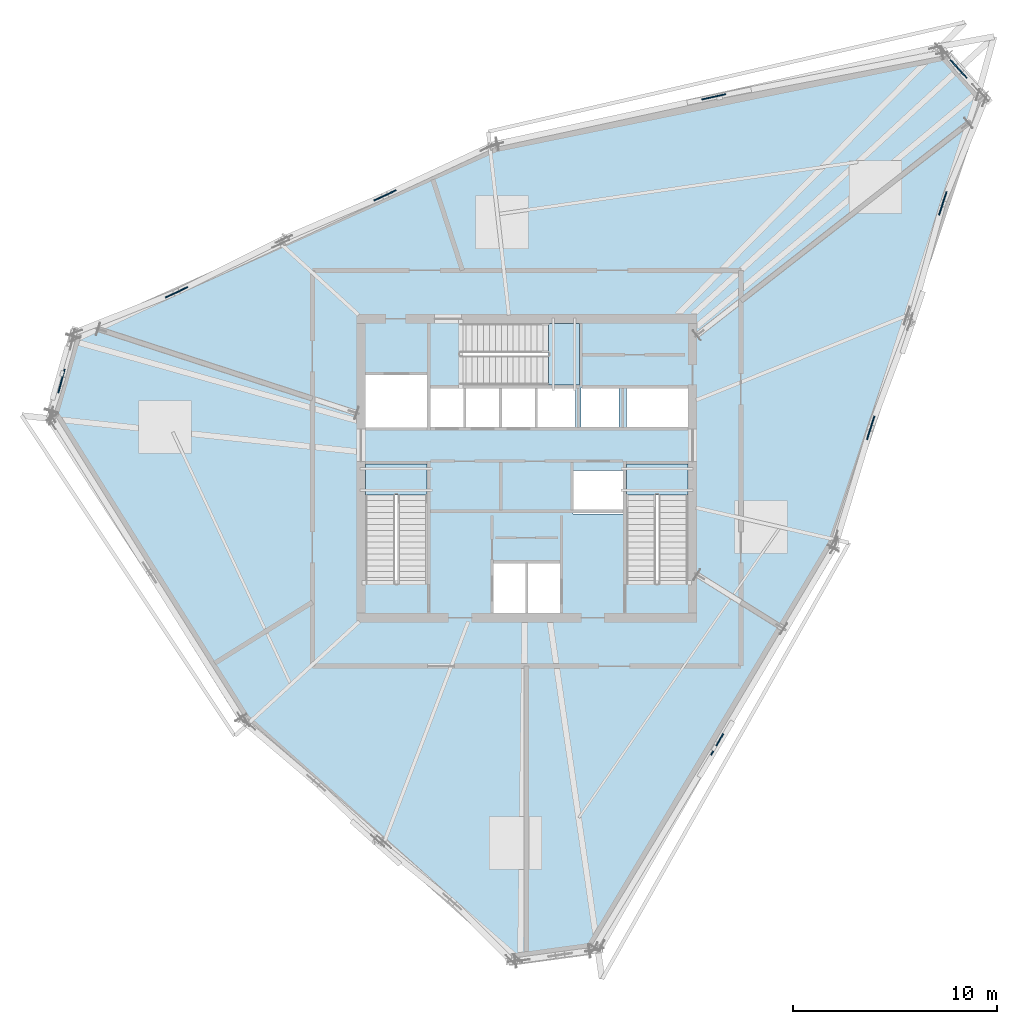
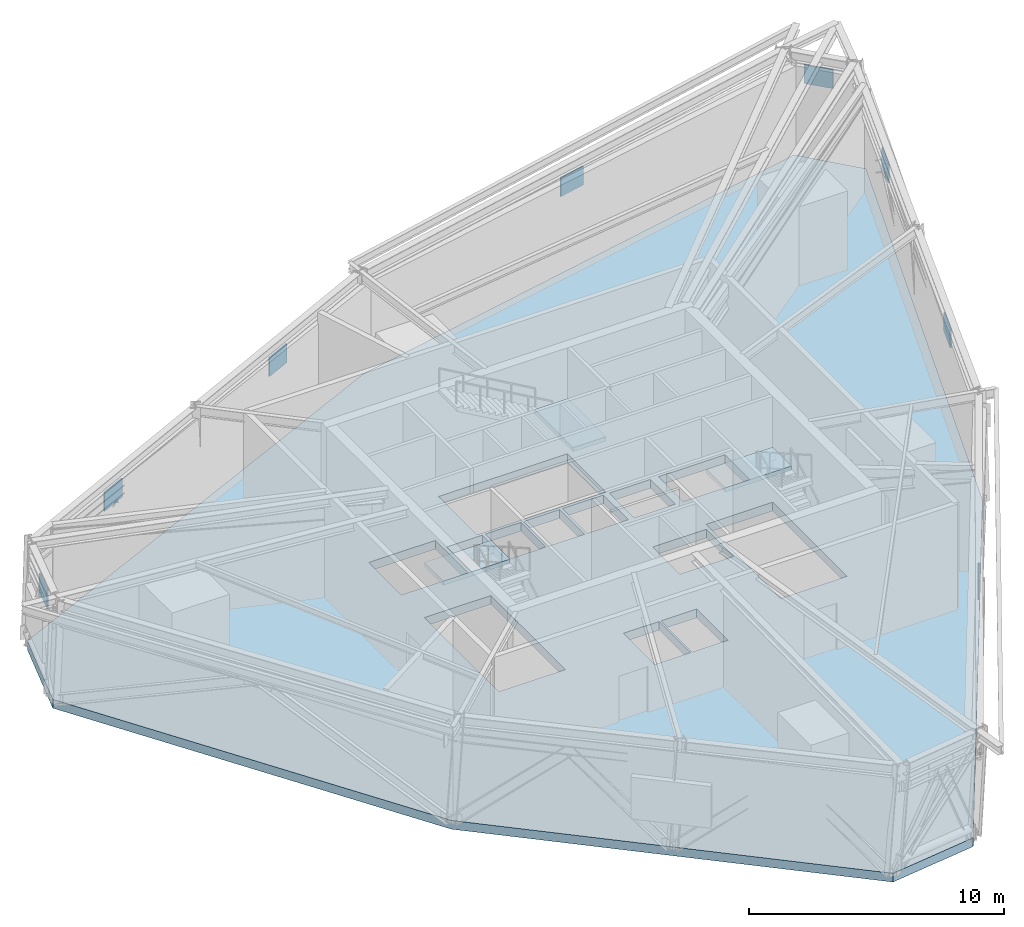
# One storey, part 4 of 15: 8 plates, 4 slabs, 3 elements without a shape of their own.
"""IFC4 building model written with IfcOpenShell, lengths in metres."""

from ifc_helpers import new_model, si_unit, direction, frame, origin, origin_2d, place, context, subcontext, project, spatial, polyline, rectangle, outline, extrude, source, transform, mapped, material, layer, layer_set, type_object, element, aggregate, save


model = new_model("IFC4")

# Units and contexts
model_context = context("Model", 3, precision=1e-05, world=origin(), true_north=direction((0.0, 1.0)))
body_context = subcontext(model_context, "Body", "Model", "MODEL_VIEW")
ifc_project = project(units=[si_unit("LENGTHUNIT", "METRE"), si_unit("AREAUNIT", "SQUARE_METRE"), si_unit("VOLUMEUNIT", "CUBIC_METRE"), si_unit("PLANEANGLEUNIT", "RADIAN"), si_unit("MASSUNIT", "GRAM", prefix="KILO")], contexts=[model_context])

# Site, building, storey
site_placement = place(None, origin())
site = spatial("IfcSite", under=ifc_project, at=site_placement, CompositionType="ELEMENT")
building_placement = place(site_placement, origin())
building = spatial("IfcBuilding", under=site, at=building_placement, Name="Olszyna Solenne Hotel", CompositionType="ELEMENT")
storey_placement = place(building_placement, frame((0.0, 0.0, 204.300048828125)))
storey = spatial("IfcBuildingStorey", under=building, at=storey_placement, Name="L54", CompositionType="ELEMENT", Elevation=204.300048828125)

# Stair, slab
ifc_material_1 = material(Name="Concrete C40/50", Category="concrete")
stair_type = type_object("IfcStairType", Name="STR-C1", PredefinedType="TWO_QUARTER_WINDING_STAIR", material=ifc_material_1)
stair_1_placement = place(storey_placement, origin())
stair_1 = element("IfcStair", 1, at=stair_1_placement, inside=storey, type_object=stair_type, Name="L54 ST1", PredefinedType="TWO_QUARTER_WINDING_STAIR")
ifc_layer_1 = layer(ifc_material_1, 0.18994140625, Name="Concrete C40/50")
ifc_layer_set_1 = layer_set([ifc_layer_1], Name="Concrete C40/50")
slab_type_1 = type_object("IfcSlabType", Name="SL-LN190", PredefinedType="LANDING", material=ifc_layer_set_1)
slab_1_placement = place(storey_placement, frame((0.0, 0.0, 2.449951171875)))
slab_1 = element("IfcSlab", 2, at=slab_1_placement, type_object=slab_type_1, Name="ST1 landing 1", PredefinedType="LANDING", context=body_context, shape_type="SweptSolid", body=[
    extrude(outline(polyline([(33.1201171875, 25.300048828125), (33.1201171875, 26.800048828125), (30.10009765625, 26.800048828125), (30.10009765625, 25.300048828125), (33.1201171875, 25.300048828125)])), origin(), (0.0, 0.0, 1.0), 0.199951171875),
])
aggregate(stair_1, [slab_1])

stair_2_placement = place(storey_placement, origin())
stair_2 = element("IfcStair", 3, at=stair_2_placement, inside=storey, type_object=stair_type, Name="L54 ST2", PredefinedType="TWO_QUARTER_WINDING_STAIR")
slab_2_placement = place(storey_placement, frame((0.0, 0.0, 2.449951171875)))
slab_2 = element("IfcSlab", 4, at=slab_2_placement, type_object=slab_type_1, Name="ST2 landing 1", PredefinedType="LANDING", context=body_context, shape_type="SweptSolid", body=[
    extrude(outline(polyline([(45.89990234375, 25.300048828125), (45.89990234375, 26.800048828125), (42.8798828125, 26.800048828125), (42.8798828125, 25.300048828125), (45.89990234375, 25.300048828125)])), origin(), (0.0, 0.0, 1.0), 0.199951171875),
])
aggregate(stair_2, [slab_2])

stair_3_placement = place(storey_placement, origin())
stair_3 = element("IfcStair", 5, at=stair_3_placement, inside=storey, type_object=stair_type, Name="L54 ST3", PredefinedType="TWO_QUARTER_WINDING_STAIR")
slab_3_placement = place(storey_placement, frame((0.0, 0.0, 2.449951171875)))
slab_3 = element("IfcSlab", 6, at=slab_3_placement, type_object=slab_type_1, Name="ST3 landing 1", PredefinedType="LANDING", context=body_context, shape_type="SweptSolid", body=[
    extrude(outline(polyline([(39.080078125, 30.679931640625), (40.580078125, 30.679931640625), (40.580078125, 33.699951171875), (39.080078125, 33.699951171875), (39.080078125, 30.679931640625)])), origin(), (0.0, 0.0, 1.0), 0.199951171875),
])
aggregate(stair_3, [slab_3])

# Slab
ifc_material_2 = material(Name="Concrete C50/60", Category="concrete")
ifc_layer_2 = layer(ifc_material_2, 0.419921875, Name="Concrete C50/60")
ifc_layer_set_2 = layer_set([ifc_layer_2], Name="Concrete C50/60")
slab_type_2 = type_object("IfcSlabType", Name="SL-TR420", PredefinedType="FLOOR", material=ifc_layer_set_2)
slab_4_placement = place(storey_placement, frame((0.0, 0.0, -0.420166015625)))
element("IfcSlab", 7, at=slab_4_placement, inside=storey, type_object=slab_type_2, Name="Floor slab SL-TR420 SL-L54-01", PredefinedType="FLOOR", context=body_context, shape_type="SweptSolid", body=[
    extrude(outline(polyline([(60.49169921875, 44.744140625), (58.51220703125, 46.9775390625), (36.39990234375, 42.461181640625), (15.80859375, 33.222900390625), (14.66845703125, 29.246826171875), (24.0810546875, 14.24267578125), (37.285400390625, 2.4375), (41.233642578125, 2.97119140625), (53.115234375, 22.819091796875), (60.49169921875, 44.744140625)]), holes=[polyline([(30.10009765625, 20.949951171875), (33.1201171875, 20.949951171875), (33.1201171875, 26.800048828125), (30.10009765625, 26.800048828125), (30.10009765625, 20.949951171875)]), polyline([(42.8798828125, 20.949951171875), (45.89990234375, 20.949951171875), (45.89990234375, 26.800048828125), (42.8798828125, 26.800048828125), (42.8798828125, 20.949951171875)]), polyline([(34.72998046875, 30.679931640625), (40.580078125, 30.679931640625), (40.580078125, 33.699951171875), (34.72998046875, 33.699951171875), (34.72998046875, 30.679931640625)]), polyline([(36.340087890625, 19.5), (37.9599609375, 19.5), (37.9599609375, 21.9599609375), (36.340087890625, 21.9599609375), (36.340087890625, 19.5)]), polyline([(38.0400390625, 19.5), (39.659912109375, 19.5), (39.659912109375, 21.9599609375), (38.0400390625, 21.9599609375), (38.0400390625, 19.5)]), polyline([(30.10009765625, 28.60009765625), (33.1201171875, 28.60009765625), (33.1201171875, 31.159912109375), (30.10009765625, 31.159912109375), (30.10009765625, 28.60009765625)]), polyline([(40.280029296875, 24.360107421875), (42.719970703125, 24.360107421875), (42.719970703125, 26.5), (40.280029296875, 26.5), (40.280029296875, 24.360107421875)]), polyline([(33.280029296875, 28.60009765625), (34.89990234375, 28.60009765625), (34.89990234375, 30.550048828125), (33.280029296875, 30.550048828125), (33.280029296875, 28.60009765625)]), polyline([(35.030029296875, 28.60009765625), (36.64990234375, 28.60009765625), (36.64990234375, 30.550048828125), (35.030029296875, 30.550048828125), (35.030029296875, 28.60009765625)]), polyline([(36.780029296875, 28.60009765625), (38.39990234375, 28.60009765625), (38.39990234375, 30.550048828125), (36.780029296875, 30.550048828125), (36.780029296875, 28.60009765625)]), polyline([(38.530029296875, 28.60009765625), (40.389892578125, 28.60009765625), (40.389892578125, 30.550048828125), (38.530029296875, 30.550048828125), (38.530029296875, 28.60009765625)]), polyline([(40.659912109375, 28.60009765625), (42.52001953125, 28.60009765625), (42.52001953125, 30.550048828125), (40.659912109375, 30.550048828125), (40.659912109375, 28.60009765625)]), polyline([(42.8798828125, 28.60009765625), (45.89990234375, 28.60009765625), (45.89990234375, 30.550048828125), (42.8798828125, 30.550048828125), (42.8798828125, 28.60009765625)])]), origin(), (0.0, 0.0, 1.0), 0.420166015625),
])

# Plates
ifc_material_3 = material(Name="Steel S460M", Category="steel")
plate_type = type_object("IfcPlateType", Name="GP-ND1", PredefinedType="USERDEFINED", material=ifc_material_3)
shared_shape = source(origin(), body_context, "Body", "SweptSolid", [
    extrude(rectangle(XDim=1.199951171875, YDim=0.06005859375, at=origin_2d()), origin(), (0.0, 0.0, 1.0), 0.89990234375),
])
for number, where, z_axis, x_axis, name in (
    (8, (59.16455078125, 46.166015625, 3.580078125), (0.0, 0.0, 1.0), (-0.6749465546, 0.737866619677, 0.0), "Belt truss node gusset plate TN-L54-01"),
    (9, (47.170166015625, 44.80126953125, 3.580078125), (0.0, 0.0, 1.0), (-0.976068816814, -0.217461869863, 0.0), "Belt truss node gusset plate TN-L54-02"),
    (10, (31.060546875, 39.973388671875, 3.580078125), (0.0, 0.0, 1.0), (-0.906749854826, -0.421668946893, 0.0), "Belt truss node gusset plate TN-L54-03"),
    (11, (20.841796875, 35.220703125, 3.580078125), (0.0, 0.0, 1.0), (-0.906749854826, -0.421668946893, 0.0), "Belt truss node gusset plate TN-L54-04"),
    (12, (15.200439453125, 30.873291015625, 3.580078125), (0.0, 0.0, 1.0), (-0.260504508643, -0.965472630879, 0.0), "Belt truss node gusset plate TN-L54-05"),
    (13, (47.33544921875, 13.069580078125, 3.580078125), (0.0, 0.0, 1.0), (0.498336430137, 0.866983738255, 0.0), "Belt truss node gusset plate TN-L54-10"),
    (14, (54.8583984375, 28.5830078125, 3.580078125), (0.0, 0.0, 1.0), (0.305861478234, 0.952076024345, 0.0), "Belt truss node gusset plate TN-L54-11"),
    (15, (58.39208984375, 39.58056640625, 3.580078125), (0.0, 0.0, 1.0), (0.305861478234, 0.952076024345, 0.0), "Belt truss node gusset plate TN-L54-12"),
):
    element("IfcPlate", number, at=place(storey_placement, frame(where, z_axis=z_axis, x_axis=x_axis)), inside=storey, type_object=plate_type, Name=name, ObjectType="GUSSET_PLATE", PredefinedType="USERDEFINED", context=body_context, shape_type="MappedRepresentation", body=[
        mapped(shared_shape, transform((0.0, 0.0, 0.0), x_axis=(1.0, 0.0, 0.0), y_axis=(0.0, 1.0, 0.0), z_axis=(0.0, 0.0, 1.0), scale=1.0)),
    ])

save(model, "model.ifc")
